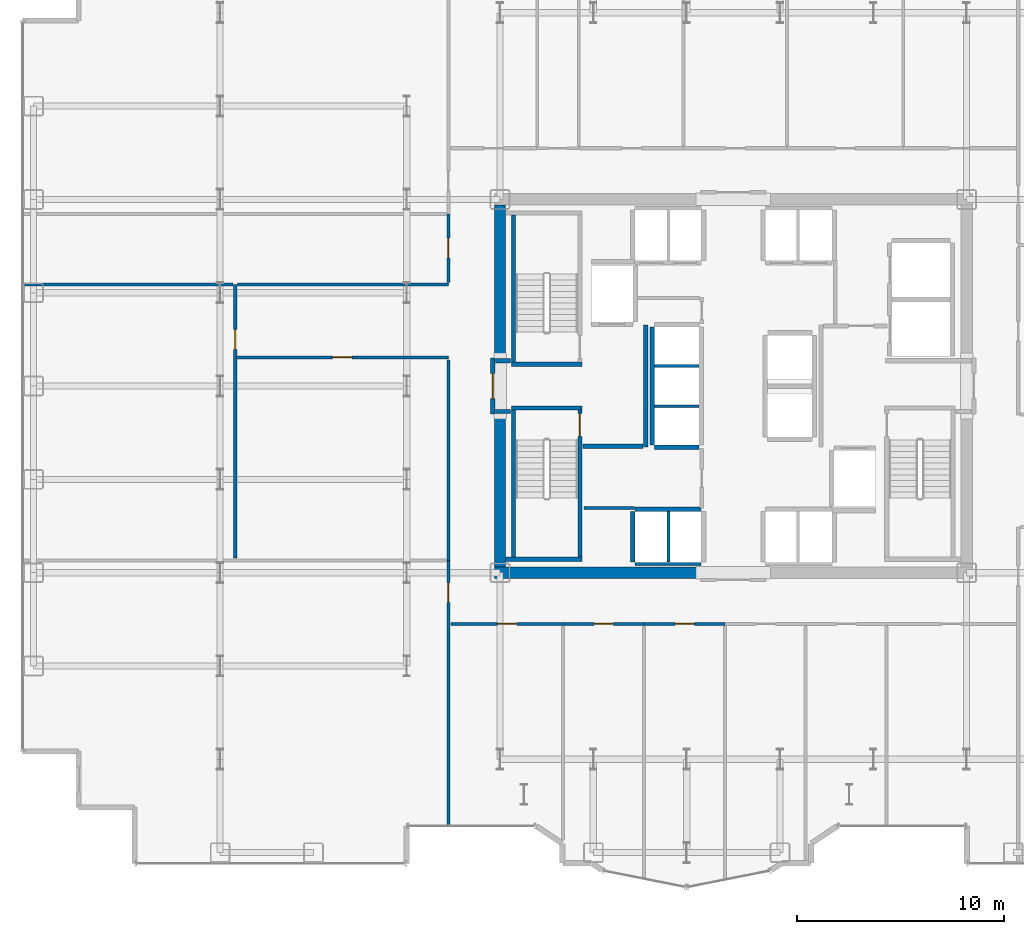
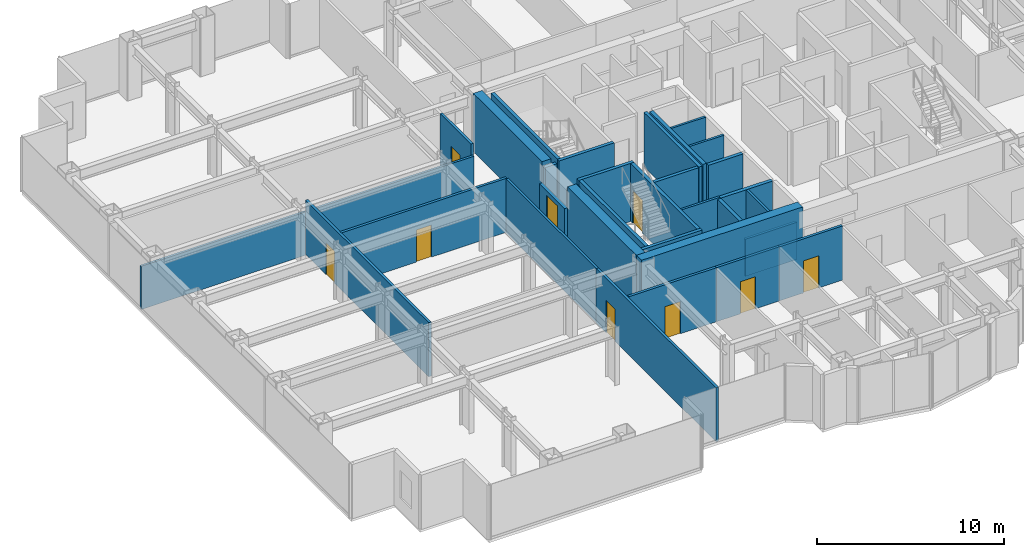
# One storey, part 20 of 25: 33 walls, 9 doors, 9 openings.
"""IFC4 building model written with IfcOpenShell, lengths in metres."""

from ifc_helpers import new_model, si_unit, direction, frame, frame_2d, origin, place, context, subcontext, project, spatial, rectangle, extrude, source, transform, mapped, material, layer, layer_set, type_object, element, fill, save


model = new_model("IFC4")

# Units and contexts
model_context = context("Model", 3, precision=1e-05, world=origin(), true_north=direction((0.0, 1.0)))
body_context = subcontext(model_context, "Body", "Model", "MODEL_VIEW")
ifc_project = project(units=[si_unit("LENGTHUNIT", "METRE"), si_unit("AREAUNIT", "SQUARE_METRE"), si_unit("VOLUMEUNIT", "CUBIC_METRE"), si_unit("PLANEANGLEUNIT", "RADIAN"), si_unit("MASSUNIT", "GRAM", prefix="KILO")], contexts=[model_context])

# Site, building, storey
site_placement = place(None, origin())
site = spatial("IfcSite", under=ifc_project, at=site_placement, CompositionType="ELEMENT")
building_placement = place(site_placement, origin())
building = spatial("IfcBuilding", under=site, at=building_placement, Name="Nefas-Gora Pilgrimage Tower", CompositionType="ELEMENT")
storey_placement = place(building_placement, frame((0.0, 0.0, 98.39990234375)))
storey = spatial("IfcBuildingStorey", under=building, at=storey_placement, Name="L23", CompositionType="ELEMENT", Elevation=98.39990234375)

# Walls
ifc_material_1 = material(Name="Concrete C60/75", Category="concrete")
ifc_layer_1 = layer(ifc_material_1, 0.550048828125)
ifc_layer_set_1 = layer_set([ifc_layer_1], Name="Concrete C60/75")
wall_type_1 = type_object("IfcWallType", Name="SW-CORE-550", PredefinedType="SHEAR", material=ifc_layer_set_1)
shared_shape_1 = source(origin(), body_context, "Body", "SweptSolid", [
    extrude(rectangle(XDim=9.974853515625, YDim=0.550048828125, at=frame_2d((4.9873046875, 0.0))), origin(), (0.0, 0.0, 1.0), 3.800048828125),
])
wall_1_placement = place(storey_placement, frame((-11.52490234375, -9.0, 0.0), z_axis=(0.0, 0.0, 1.0), x_axis=(1.0, 0.0, 0.0)))
element("IfcWall", 1, at=wall_1_placement, inside=storey, type_object=wall_type_1, Name="L23 Core Shear Wall S-West", PredefinedType="SHEAR", context=body_context, shape_type="MappedRepresentation", body=[
    mapped(shared_shape_1, transform((0.0, 0.0, 0.0), x_axis=(1.0, 0.0, 0.0), y_axis=(0.0, 1.0, 0.0), z_axis=(0.0, 0.0, 1.0), scale=1.0)),
])
shared_shape_2 = source(origin(), body_context, "Body", "SweptSolid", [
    extrude(rectangle(XDim=7.375, YDim=0.550048828125, at=frame_2d((3.6875, 0.0))), origin(), (0.0, 0.0, 1.0), 3.800048828125),
])
for number, where, z_axis, x_axis, name in (
    (2, (-11.25, -8.72509765625, 0.0), (0.0, 0.0, 1.0), (0.0, 1.0, 0.0), "L23 Core Shear Wall W-South"),
    (3, (-11.25, 1.35009765625, 0.0), (0.0, 0.0, 1.0), (0.0, 1.0, 0.0), "L23 Core Shear Wall W-North"),
):
    element("IfcWall", number, at=place(storey_placement, frame(where, z_axis=z_axis, x_axis=x_axis)), inside=storey, type_object=wall_type_1, Name=name, PredefinedType="SHEAR", context=body_context, shape_type="MappedRepresentation", body=[
        mapped(shared_shape_2, transform((0.0, 0.0, 0.0), x_axis=(1.0, 0.0, 0.0), y_axis=(0.0, 1.0, 0.0), z_axis=(0.0, 0.0, 1.0), scale=1.0)),
    ])
ifc_material_2 = material(Name="Concrete C45/55", Category="concrete")
ifc_layer_2 = layer(ifc_material_2, 0.199951171875)
ifc_layer_set_2 = layer_set([ifc_layer_2], Name="Concrete C45/55")
wall_type_2 = type_object("IfcWallType", Name="IW-STAIR-200", PredefinedType="SOLIDWALL", material=ifc_layer_set_2)
shared_shape_3 = source(origin(), body_context, "Body", "SweptSolid", [
    extrude(rectangle(XDim=3.39990234375, YDim=0.199951171875, at=frame_2d((1.699951171875, 0.0))), origin(), (0.0, 0.0, 1.0), 3.800048828125),
])
for number, where, z_axis, x_axis, name in (
    (4, (-7.300048828125, 1.050048828125, 0.0), (0.0, 0.0, 1.0), (-1.0, 0.0, 0.0), "L23 Stairwell Shear Wall ST-01-near"),
    (5, (-10.699951171875, -1.050048828125, 0.0), (0.0, 0.0, 1.0), (1.0, 0.0, 0.0), "L23 Stairwell Shear Wall ST-03-near"),
):
    element("IfcWall", number, at=place(storey_placement, frame(where, z_axis=z_axis, x_axis=x_axis)), inside=storey, type_object=wall_type_2, Name=name, PredefinedType="SOLIDWALL", context=body_context, shape_type="MappedRepresentation", body=[
        mapped(shared_shape_3, transform((0.0, 0.0, 0.0), x_axis=(1.0, 0.0, 0.0), y_axis=(0.0, 1.0, 0.0), z_axis=(0.0, 0.0, 1.0), scale=1.0)),
    ])
shared_shape_4 = source(origin(), body_context, "Body", "SweptSolid", [
    extrude(rectangle(XDim=7.10009765625, YDim=0.199951171875, at=frame_2d((3.550048828125, 0.0))), origin(), (0.0, 0.0, 1.0), 3.800048828125),
])
for number, where, z_axis, x_axis, name in (
    (6, (-10.60009765625, 1.14990234375, 0.0), (0.0, 0.0, 1.0), (0.0, 1.0, 0.0), "L23 Stairwell Shear Wall ST-01-right"),
    (7, (-10.60009765625, -1.14990234375, 0.0), (0.0, 0.0, 1.0), (0.0, -1.0, 0.0), "L23 Stairwell Shear Wall ST-03-left"),
):
    element("IfcWall", number, at=place(storey_placement, frame(where, z_axis=z_axis, x_axis=x_axis)), inside=storey, type_object=wall_type_2, Name=name, PredefinedType="SOLIDWALL", context=body_context, shape_type="MappedRepresentation", body=[
        mapped(shared_shape_4, transform((0.0, 0.0, 0.0), x_axis=(1.0, 0.0, 0.0), y_axis=(0.0, 1.0, 0.0), z_axis=(0.0, 0.0, 1.0), scale=1.0)),
    ])

# Wall, opening, door
wall_2_placement = place(storey_placement, frame((-7.39990234375, -1.14990234375, 0.0), z_axis=(0.0, 0.0, 1.0), x_axis=(0.0, -1.0, 0.0)))
wall_2 = element("IfcWall", 8, at=wall_2_placement, inside=storey, type_object=wall_type_2, Name="L23 Stairwell Shear Wall ST-03-right", PredefinedType="SOLIDWALL", context=body_context, shape_type="MappedRepresentation", body=[
    mapped(shared_shape_4, transform((0.0, 0.0, 0.0), x_axis=(1.0, 0.0, 0.0), y_axis=(0.0, 1.0, 0.0), z_axis=(0.0, 0.0, 1.0), scale=1.0)),
])
opening_1_placement = place(wall_2_placement, frame((0.179931640625, 0.0, 0.0)))
opening_1 = element("IfcOpeningElement", 9, at=opening_1_placement, cuts=wall_2, Name="Opening ID-ST1", PredefinedType="OPENING", context=body_context, shape_type="SweptSolid", body=[
    extrude(rectangle(XDim=1.10009765625, YDim=2.14990234375, at=frame_2d((0.550048828125, 1.074951171875))), frame((0.0, 0.10986328125, 0.0), z_axis=(0.0, -1.0, 0.0), x_axis=(1.0, 0.0, 0.0)), (0.0, 0.0, 1.0), 0.219970703125),
])
ifc_material_3 = material(Name="Painted galvanised steel fire stair door", Category="steel")
door_type_1 = type_object("IfcDoorType", Name="DR-INT-STAIR-1100", OperationType="NOTDEFINED", PredefinedType="DOOR", material=ifc_material_3)
shared_shape_5 = source(origin(), body_context, "Body", "SweptSolid", [
    extrude(rectangle(XDim=1.10009765625, YDim=2.14990234375, at=frame_2d((0.550048828125, 1.074951171875))), frame((0.0, 0.02490234375, 0.0), z_axis=(0.0, -1.0, 0.0), x_axis=(1.0, 0.0, 0.0)), (0.0, 0.0, 1.0), 0.050048828125),
])
door_1_placement = place(opening_1_placement, origin())
door_1 = element("IfcDoor", 10, at=door_1_placement, inside=storey, type_object=door_type_1, Name="L23 Protected Exit Stair Door ST-03", OperationType="SINGLE_SWING_LEFT", OverallHeight=2.14990234375, OverallWidth=1.10009765625, PredefinedType="DOOR", context=body_context, shape_type="MappedRepresentation", body=[
    mapped(shared_shape_5, transform((0.0, 0.0, 0.0), x_axis=(1.0, 0.0, 0.0), y_axis=(0.0, 1.0, 0.0), z_axis=(0.0, 0.0, 1.0), scale=1.0)),
])
fill(opening_1, door_1)

# Walls
shared_shape_6 = source(origin(), body_context, "Body", "SweptSolid", [
    extrude(rectangle(XDim=3.679931640625, YDim=0.199951171875, at=frame_2d((1.83984375, 0.0))), origin(), (0.0, 0.0, 1.0), 3.800048828125),
])
wall_3_placement = place(storey_placement, frame((-10.97998046875, -8.35009765625, 0.0), z_axis=(0.0, 0.0, 1.0), x_axis=(1.0, 0.0, 0.0)))
element("IfcWall", 11, at=wall_3_placement, inside=storey, type_object=wall_type_2, Name="L23 Stairwell Shear Wall ST-03-far", PredefinedType="SOLIDWALL", context=body_context, shape_type="MappedRepresentation", body=[
    mapped(shared_shape_6, transform((0.0, 0.0, 0.0), x_axis=(1.0, 0.0, 0.0), y_axis=(0.0, 1.0, 0.0), z_axis=(0.0, 0.0, 1.0), scale=1.0)),
])
ifc_material_4 = material(Name="Gypsum acoustic stud partition")
ifc_layer_3 = layer(ifc_material_4, 0.159912109375)
ifc_layer_set_3 = layer_set([ifc_layer_3], Name="Gypsum acoustic stud partition")
wall_type_3 = type_object("IfcWallType", Name="IW-CORR-160", PredefinedType="PARTITIONING", material=ifc_layer_set_3)
shared_shape_7 = source(origin(), body_context, "Body", "SweptSolid", [
    extrude(rectangle(XDim=3.199951171875, YDim=0.159912109375, at=frame_2d((1.60009765625, 0.0))), origin(), (0.0, 0.0, 1.0), 2.425048828125),
])
wall_4_placement = place(storey_placement, frame((-4.75, -8.580078125, 0.0), z_axis=(0.0, 0.0, 1.0), x_axis=(1.0, 0.0, 0.0)))
element("IfcWall", 12, at=wall_4_placement, inside=storey, type_object=wall_type_3, Name="L23 Hoistway Wall PL2-W-S", PredefinedType="PARTITIONING", context=body_context, shape_type="MappedRepresentation", body=[
    mapped(shared_shape_7, transform((0.0, 0.0, 0.0), x_axis=(1.0, 0.0, 0.0), y_axis=(0.0, 1.0, 0.0), z_axis=(0.0, 0.0, 1.0), scale=1.0)),
])
ifc_material_5 = material(Name="Concrete C40/50", Category="concrete")
ifc_layer_4 = layer(ifc_material_5, 0.219970703125)
ifc_layer_set_4 = layer_set([ifc_layer_4], Name="Concrete C40/50")
wall_type_4 = type_object("IfcWallType", Name="IW-SHAFT-220", PredefinedType="SOLIDWALL", material=ifc_layer_set_4)
shared_shape_8 = source(origin(), body_context, "Body", "SweptSolid", [
    extrude(rectangle(XDim=3.199951171875, YDim=0.219970703125, at=frame_2d((1.60009765625, 0.0))), origin(), (0.0, 0.0, 1.0), 3.53515625),
])
wall_5_placement = place(storey_placement, frame((-1.550048828125, -5.93994140625, 0.0), z_axis=(0.0, 0.0, 1.0), x_axis=(-1.0, 0.0, 0.0)))
element("IfcWall", 13, at=wall_5_placement, inside=storey, type_object=wall_type_4, Name="L23 Hoistway Wall PL2-W-N", PredefinedType="SOLIDWALL", context=body_context, shape_type="MappedRepresentation", body=[
    mapped(shared_shape_8, transform((0.0, 0.0, 0.0), x_axis=(1.0, 0.0, 0.0), y_axis=(0.0, 1.0, 0.0), z_axis=(0.0, 0.0, 1.0), scale=1.0)),
])
shared_shape_9 = source(origin(), body_context, "Body", "SweptSolid", [
    extrude(rectangle(XDim=2.429931640625, YDim=0.219970703125, at=frame_2d((1.21484375, 0.0))), origin(), (0.0, 0.0, 1.0), 3.53515625),
])
wall_6_placement = place(storey_placement, frame((-4.860107421875, -6.06005859375, 0.0), z_axis=(0.0, 0.0, 1.0), x_axis=(0.0, -1.0, 0.0)))
element("IfcWall", 14, at=wall_6_placement, inside=storey, type_object=wall_type_4, Name="L23 Hoistway Wall PL2-W-W", PredefinedType="SOLIDWALL", context=body_context, shape_type="MappedRepresentation", body=[
    mapped(shared_shape_9, transform((0.0, 0.0, 0.0), x_axis=(1.0, 0.0, 0.0), y_axis=(0.0, 1.0, 0.0), z_axis=(0.0, 0.0, 1.0), scale=1.0)),
])
ifc_material_6 = material(Name="Gypsum twin-stud partition")
ifc_layer_5 = layer(ifc_material_6, 0.139892578125)
ifc_layer_set_5 = layer_set([ifc_layer_5], Name="Gypsum twin-stud partition")
wall_type_5 = type_object("IfcWallType", Name="IW-UNIT-140", PredefinedType="PARTITIONING", material=ifc_layer_set_5)
shared_shape_10 = source(origin(), body_context, "Body", "SweptSolid", [
    extrude(rectangle(XDim=2.429931640625, YDim=0.139892578125, at=frame_2d((1.21484375, 0.0))), origin(), (0.0, 0.0, 1.0), 3.53515625),
])
wall_7_placement = place(storey_placement, frame((-3.125, -8.489990234375, 0.0), z_axis=(0.0, 0.0, 1.0), x_axis=(0.0, 1.0, 0.0)))
element("IfcWall", 15, at=wall_7_placement, inside=storey, type_object=wall_type_5, Name="L23 Hoistway Wall PL2-W-DIV", PredefinedType="PARTITIONING", context=body_context, shape_type="MappedRepresentation", body=[
    mapped(shared_shape_10, transform((0.0, 0.0, 0.0), x_axis=(1.0, 0.0, 0.0), y_axis=(0.0, 1.0, 0.0), z_axis=(0.0, 0.0, 1.0), scale=1.0)),
])
shared_shape_11 = source(origin(), body_context, "Body", "SweptSolid", [
    extrude(rectangle(XDim=5.7001953125, YDim=0.219970703125, at=frame_2d((2.85009765625, 0.0))), origin(), (0.0, 0.0, 1.0), 3.53515625),
])
wall_8_placement = place(storey_placement, frame((-3.909912109375, 2.85009765625, 0.0), z_axis=(0.0, 0.0, 1.0), x_axis=(0.0, -1.0, 0.0)))
element("IfcWall", 16, at=wall_8_placement, inside=storey, type_object=wall_type_4, Name="L23 Hoistway Wall PL3-01-03-W", PredefinedType="SOLIDWALL", context=body_context, shape_type="MappedRepresentation", body=[
    mapped(shared_shape_11, transform((0.0, 0.0, 0.0), x_axis=(1.0, 0.0, 0.0), y_axis=(0.0, 1.0, 0.0), z_axis=(0.0, 0.0, 1.0), scale=1.0)),
])
shared_shape_12 = source(origin(), body_context, "Body", "SweptSolid", [
    extrude(rectangle(XDim=2.130126953125, YDim=0.219970703125, at=frame_2d((1.06494140625, 0.0))), origin(), (0.0, 0.0, 1.0), 3.53515625),
])
wall_9_placement = place(storey_placement, frame((-3.7900390625, -2.9599609375, 0.0), z_axis=(0.0, 0.0, 1.0), x_axis=(1.0, 0.0, 0.0)))
element("IfcWall", 17, at=wall_9_placement, inside=storey, type_object=wall_type_4, Name="L23 Hoistway Wall PL3-01-S", PredefinedType="SOLIDWALL", context=body_context, shape_type="MappedRepresentation", body=[
    mapped(shared_shape_12, transform((0.0, 0.0, 0.0), x_axis=(1.0, 0.0, 0.0), y_axis=(0.0, 1.0, 0.0), z_axis=(0.0, 0.0, 1.0), scale=1.0)),
])
shared_shape_13 = source(origin(), body_context, "Body", "SweptSolid", [
    extrude(rectangle(XDim=2.130126953125, YDim=0.139892578125, at=frame_2d((1.06494140625, 0.0))), origin(), (0.0, 0.0, 1.0), 3.53515625),
])
for number, where, z_axis, x_axis, name in (
    (18, (-3.7900390625, -0.97509765625, 0.0), (0.0, 0.0, 1.0), (1.0, 0.0, 0.0), "L23 Hoistway Wall PL3-01-02-DIV"),
    (19, (-3.7900390625, 0.97509765625, 0.0), (0.0, 0.0, 1.0), (1.0, 0.0, 0.0), "L23 Hoistway Wall PL3-02-03-DIV"),
):
    element("IfcWall", number, at=place(storey_placement, frame(where, z_axis=z_axis, x_axis=x_axis)), inside=storey, type_object=wall_type_5, Name=name, PredefinedType="PARTITIONING", context=body_context, shape_type="MappedRepresentation", body=[
        mapped(shared_shape_13, transform((0.0, 0.0, 0.0), x_axis=(1.0, 0.0, 0.0), y_axis=(0.0, 1.0, 0.0), z_axis=(0.0, 0.0, 1.0), scale=1.0)),
    ])

# Wall, opening, door
ifc_material_7 = material(Name="Gypsum fire-rated shaftwall")
ifc_layer_6 = layer(ifc_material_7, 0.199951171875)
ifc_layer_set_6 = layer_set([ifc_layer_6], Name="Gypsum fire-rated shaftwall")
wall_type_6 = type_object("IfcWallType", Name="IW-FFLOB-200", PredefinedType="PARTITIONING", material=ifc_layer_set_6)
shared_shape_14 = source(origin(), body_context, "Body", "SweptSolid", [
    extrude(rectangle(XDim=2.7001953125, YDim=0.199951171875, at=frame_2d((1.35009765625, 0.0))), origin(), (0.0, 0.0, 1.0), 2.425048828125),
])
wall_10_placement = place(storey_placement, frame((-11.60009765625, -1.35009765625, 0.0), z_axis=(0.0, 0.0, 1.0), x_axis=(0.0, 1.0, 0.0)))
wall_10 = element("IfcWall", 20, at=wall_10_placement, inside=storey, type_object=wall_type_6, Name="L23 FF Lobby West Portal Wall 3", PredefinedType="PARTITIONING", context=body_context, shape_type="MappedRepresentation", body=[
    mapped(shared_shape_14, transform((0.0, 0.0, 0.0), x_axis=(1.0, 0.0, 0.0), y_axis=(0.0, 1.0, 0.0), z_axis=(0.0, 0.0, 1.0), scale=1.0)),
])
opening_2_placement = place(wall_10_placement, frame((0.75, 0.0, 0.0)))
opening_2 = element("IfcOpeningElement", 21, at=opening_2_placement, cuts=wall_10, Name="Opening ID-FF1", PredefinedType="OPENING", context=body_context, shape_type="SweptSolid", body=[
    extrude(rectangle(XDim=1.199951171875, YDim=2.14990234375, at=frame_2d((0.60009765625, 1.074951171875))), frame((0.0, 0.10986328125, 0.0), z_axis=(0.0, -1.0, 0.0), x_axis=(1.0, 0.0, 0.0)), (0.0, 0.0, 1.0), 0.219970703125),
])
ifc_material_8 = material(Name="Smoke-sealed steel firefighting lobby door", Category="steel")
door_type_2 = type_object("IfcDoorType", Name="DR-INT-FFLOB-1200", OperationType="NOTDEFINED", PredefinedType="DOOR", material=ifc_material_8)
shared_shape_15 = source(origin(), body_context, "Body", "SweptSolid", [
    extrude(rectangle(XDim=1.199951171875, YDim=2.14990234375, at=frame_2d((0.60009765625, 1.074951171875))), frame((0.0, 0.02490234375, 0.0), z_axis=(0.0, -1.0, 0.0), x_axis=(1.0, 0.0, 0.0)), (0.0, 0.0, 1.0), 0.050048828125),
])
door_2_placement = place(opening_2_placement, origin())
door_2 = element("IfcDoor", 22, at=door_2_placement, inside=storey, type_object=door_type_2, Name="L23 FF Lobby West Portal Door 1", OperationType="SINGLE_SWING_RIGHT", OverallHeight=2.14990234375, OverallWidth=1.199951171875, PredefinedType="DOOR", context=body_context, shape_type="MappedRepresentation", body=[
    mapped(shared_shape_15, transform((0.0, 0.0, 0.0), x_axis=(1.0, 0.0, 0.0), y_axis=(0.0, 1.0, 0.0), z_axis=(0.0, 0.0, 1.0), scale=1.0)),
])
fill(opening_2, door_2)

# Walls
shared_shape_16 = source(origin(), body_context, "Body", "SweptSolid", [
    extrude(rectangle(XDim=5.89990234375, YDim=0.199951171875, at=frame_2d((2.949951171875, 0.0))), origin(), (0.0, 0.0, 1.0), 3.53515625),
])
wall_11_placement = place(storey_placement, frame((-4.219970703125, -2.949951171875, 0.0), z_axis=(0.0, 0.0, 1.0), x_axis=(0.0, 1.0, 0.0)))
element("IfcWall", 23, at=wall_11_placement, inside=storey, type_object=wall_type_6, Name="L23 FF Lobby West Inner Wall Wall 4", PredefinedType="PARTITIONING", context=body_context, shape_type="MappedRepresentation", body=[
    mapped(shared_shape_16, transform((0.0, 0.0, 0.0), x_axis=(1.0, 0.0, 0.0), y_axis=(0.0, 1.0, 0.0), z_axis=(0.0, 0.0, 1.0), scale=1.0)),
])
shared_shape_17 = source(origin(), body_context, "Body", "SweptSolid", [
    extrude(rectangle(XDim=2.89990234375, YDim=0.199951171875, at=frame_2d((1.449951171875, 0.0))), origin(), (0.0, 0.0, 1.0), 3.53515625),
])
wall_12_placement = place(storey_placement, frame((-7.260009765625, -2.89990234375, 0.0), z_axis=(0.0, 0.0, 1.0), x_axis=(1.0, 0.0, 0.0)))
element("IfcWall", 24, at=wall_12_placement, inside=storey, type_object=wall_type_6, Name="L23 FF Lobby West South Wall Wall 5", PredefinedType="PARTITIONING", context=body_context, shape_type="MappedRepresentation", body=[
    mapped(shared_shape_17, transform((0.0, 0.0, 0.0), x_axis=(1.0, 0.0, 0.0), y_axis=(0.0, 1.0, 0.0), z_axis=(0.0, 0.0, 1.0), scale=1.0)),
])
shared_shape_18 = source(origin(), body_context, "Body", "SweptSolid", [
    extrude(rectangle(XDim=0.719970703125, YDim=0.199951171875, at=frame_2d((0.35986328125, 0.0))), origin(), (0.0, 0.0, 1.0), 3.53515625),
])
for number, where, z_axis, x_axis, name in (
    (25, (-11.4599609375, 1.219970703125, 0.0), (0.0, 0.0, 1.0), (1.0, 0.0, 0.0), "L23 FF Lobby West Throat N Wall 6"),
    (26, (-11.4599609375, -1.219970703125, 0.0), (0.0, 0.0, 1.0), (1.0, 0.0, 0.0), "L23 FF Lobby West Throat S Wall 7"),
):
    element("IfcWall", number, at=place(storey_placement, frame(where, z_axis=z_axis, x_axis=x_axis)), inside=storey, type_object=wall_type_6, Name=name, PredefinedType="PARTITIONING", context=body_context, shape_type="MappedRepresentation", body=[
        mapped(shared_shape_18, transform((0.0, 0.0, 0.0), x_axis=(1.0, 0.0, 0.0), y_axis=(0.0, 1.0, 0.0), z_axis=(0.0, 0.0, 1.0), scale=1.0)),
    ])

# Wall, opening, door
shared_shape_19 = source(origin(), body_context, "Body", "SweptSolid", [
    extrude(rectangle(XDim=10.25, YDim=0.159912109375, at=frame_2d((5.125, 0.0))), origin(), (0.0, 0.0, 1.0), 3.53515625),
])
wall_13_placement = place(storey_placement, frame((-23.97998046875, 1.3798828125, 0.0), z_axis=(0.0, 0.0, 1.0), x_axis=(1.0, 0.0, 0.0)))
wall_13 = element("IfcWall", 27, at=wall_13_placement, inside=storey, type_object=wall_type_3, Name="L23 Pilgrim Tea and Beverage Pantry Partition Wall 25", PredefinedType="PARTITIONING", context=body_context, shape_type="MappedRepresentation", body=[
    mapped(shared_shape_19, transform((0.0, 0.0, 0.0), x_axis=(1.0, 0.0, 0.0), y_axis=(0.0, 1.0, 0.0), z_axis=(0.0, 0.0, 1.0), scale=1.0)),
])
opening_3_placement = place(wall_13_placement, frame((4.64990234375, 0.0, 0.0)))
opening_3 = element("IfcOpeningElement", 28, at=opening_3_placement, cuts=wall_13, Name="Opening ID-GR1", PredefinedType="OPENING", context=body_context, shape_type="SweptSolid", body=[
    extrude(rectangle(XDim=0.949951171875, YDim=2.10009765625, at=frame_2d((0.47509765625, 1.050048828125))), frame((0.0, 0.08984375, 0.0), z_axis=(0.0, -1.0, 0.0), x_axis=(1.0, 0.0, 0.0)), (0.0, 0.0, 1.0), 0.179931640625),
])
ifc_material_9 = material(Name="Solid core oak fire-rated guest entrance door")
door_type_3 = type_object("IfcDoorType", Name="DR-INT-GUEST-950", OperationType="NOTDEFINED", PredefinedType="DOOR", material=ifc_material_9)
shared_shape_20 = source(origin(), body_context, "Body", "SweptSolid", [
    extrude(rectangle(XDim=0.949951171875, YDim=2.10009765625, at=frame_2d((0.47509765625, 1.050048828125))), frame((0.0, 0.02490234375, 0.0), z_axis=(0.0, -1.0, 0.0), x_axis=(1.0, 0.0, 0.0)), (0.0, 0.0, 1.0), 0.050048828125),
])
door_3_placement = place(opening_3_placement, origin())
door_3 = element("IfcDoor", 29, at=door_3_placement, inside=storey, type_object=door_type_3, Name="L23 Pilgrim Tea and Beverage Pantry Door 10", OperationType="SINGLE_SWING_LEFT", OverallHeight=2.10009765625, OverallWidth=0.949951171875, PredefinedType="DOOR", context=body_context, shape_type="MappedRepresentation", body=[
    mapped(shared_shape_20, transform((0.0, 0.0, 0.0), x_axis=(1.0, 0.0, 0.0), y_axis=(0.0, 1.0, 0.0), z_axis=(0.0, 0.0, 1.0), scale=1.0)),
])
fill(opening_3, door_3)

shared_shape_21 = source(origin(), body_context, "Body", "SweptSolid", [
    extrude(rectangle(XDim=12.844970703125, YDim=0.159912109375, at=frame_2d((6.42236328125, 0.0))), origin(), (0.0, 0.0, 1.0), 3.53515625),
])
wall_14_placement = place(storey_placement, frame((-13.739990234375, -21.239990234375, 0.0), z_axis=(0.0, 0.0, 1.0), x_axis=(0.0, 1.0, 0.0)))
wall_14 = element("IfcWall", 30, at=wall_14_placement, inside=storey, type_object=wall_type_3, Name="L23 Pilgrim Tea and Beverage Pantry Partition Wall 23", PredefinedType="PARTITIONING", context=body_context, shape_type="MappedRepresentation", body=[
    mapped(shared_shape_21, transform((0.0, 0.0, 0.0), x_axis=(1.0, 0.0, 0.0), y_axis=(0.0, 1.0, 0.0), z_axis=(0.0, 0.0, 1.0), scale=1.0)),
])
opening_4_placement = place(wall_14_placement, frame((10.8125, 0.0, 0.0)))
opening_4 = element("IfcOpeningElement", 31, at=opening_4_placement, cuts=wall_14, Name="Opening ID-GR1", PredefinedType="OPENING", context=body_context, shape_type="SweptSolid", body=[
    extrude(rectangle(XDim=0.949951171875, YDim=2.10009765625, at=frame_2d((0.47509765625, 1.050048828125))), frame((0.0, 0.08984375, 0.0), z_axis=(0.0, -1.0, 0.0), x_axis=(1.0, 0.0, 0.0)), (0.0, 0.0, 1.0), 0.179931640625),
])
door_4_placement = place(opening_4_placement, origin())
door_4 = element("IfcDoor", 32, at=door_4_placement, inside=storey, type_object=door_type_3, Name="L23 Pilgrim Tea and Beverage Pantry Door 9", OperationType="SINGLE_SWING_RIGHT", OverallHeight=2.10009765625, OverallWidth=0.949951171875, PredefinedType="DOOR", context=body_context, shape_type="MappedRepresentation", body=[
    mapped(shared_shape_20, transform((0.0, 0.0, 0.0), x_axis=(1.0, 0.0, 0.0), y_axis=(0.0, 1.0, 0.0), z_axis=(0.0, 0.0, 1.0), scale=1.0)),
])
fill(opening_4, door_4)

# Walls
shared_shape_22 = source(origin(), body_context, "Body", "SweptSolid", [
    extrude(rectangle(XDim=2.43505859375, YDim=0.139892578125, at=frame_2d((1.217529296875, 0.0))), origin(), (0.0, 0.0, 1.0), 3.53515625),
])
wall_15_placement = place(storey_placement, frame((-7.18994140625, -5.8798828125, 0.0), z_axis=(0.0, 0.0, 1.0), x_axis=(1.0, 0.0, 0.0)))
element("IfcWall", 33, at=wall_15_placement, inside=storey, type_object=wall_type_5, Name="L23 Pilgrim Baggage and Gear Vault Partition Wall 19", PredefinedType="PARTITIONING", context=body_context, shape_type="MappedRepresentation", body=[
    mapped(shared_shape_22, transform((0.0, 0.0, 0.0), x_axis=(1.0, 0.0, 0.0), y_axis=(0.0, 1.0, 0.0), z_axis=(0.0, 0.0, 1.0), scale=1.0)),
])
shared_shape_23 = source(origin(), body_context, "Body", "SweptSolid", [
    extrude(rectangle(XDim=9.6650390625, YDim=0.139892578125, at=frame_2d((4.83251953125, 0.0))), origin(), (0.0, 0.0, 1.0), 3.53515625),
])
wall_16_placement = place(storey_placement, frame((-13.739990234375, -8.405029296875, 0.0), z_axis=(0.0, 0.0, 1.0), x_axis=(0.0, 1.0, 0.0)))
element("IfcWall", 34, at=wall_16_placement, inside=storey, type_object=wall_type_5, Name="L23 Pilgrim Tea and Beverage Pantry Partition Wall 26", PredefinedType="PARTITIONING", context=body_context, shape_type="MappedRepresentation", body=[
    mapped(shared_shape_23, transform((0.0, 0.0, 0.0), x_axis=(1.0, 0.0, 0.0), y_axis=(0.0, 1.0, 0.0), z_axis=(0.0, 0.0, 1.0), scale=1.0)),
])

# Wall, opening, door
shared_shape_24 = source(origin(), body_context, "Body", "SweptSolid", [
    extrude(rectangle(XDim=13.199951171875, YDim=0.159912109375, at=frame_2d((6.60009765625, 0.0))), origin(), (0.0, 0.0, 1.0), 3.53515625),
])
wall_17_placement = place(storey_placement, frame((-24.02001953125, -8.294921875, 0.0), z_axis=(0.0, 0.0, 1.0), x_axis=(0.0, 1.0, 0.0)))
wall_17 = element("IfcWall", 35, at=wall_17_placement, inside=storey, type_object=wall_type_3, Name="L23 Pilgrim Tea and Beverage Pantry Partition Wall 27", PredefinedType="PARTITIONING", context=body_context, shape_type="MappedRepresentation", body=[
    mapped(shared_shape_24, transform((0.0, 0.0, 0.0), x_axis=(1.0, 0.0, 0.0), y_axis=(0.0, 1.0, 0.0), z_axis=(0.0, 0.0, 1.0), scale=1.0)),
])
opening_5_placement = place(wall_17_placement, frame((10.070068359375, 0.0, 0.0)))
opening_5 = element("IfcOpeningElement", 36, at=opening_5_placement, cuts=wall_17, Name="Opening ID-GR1", PredefinedType="OPENING", context=body_context, shape_type="SweptSolid", body=[
    extrude(rectangle(XDim=0.949951171875, YDim=2.10009765625, at=frame_2d((0.47509765625, 1.050048828125))), frame((0.0, 0.08984375, 0.0), z_axis=(0.0, -1.0, 0.0), x_axis=(1.0, 0.0, 0.0)), (0.0, 0.0, 1.0), 0.179931640625),
])
door_5_placement = place(opening_5_placement, origin())
door_5 = element("IfcDoor", 37, at=door_5_placement, inside=storey, type_object=door_type_3, Name="L23 Pilgrim Tea and Beverage Pantry Door 11", OperationType="SINGLE_SWING_RIGHT", OverallHeight=2.10009765625, OverallWidth=0.949951171875, PredefinedType="DOOR", context=body_context, shape_type="MappedRepresentation", body=[
    mapped(shared_shape_20, transform((0.0, 0.0, 0.0), x_axis=(1.0, 0.0, 0.0), y_axis=(0.0, 1.0, 0.0), z_axis=(0.0, 0.0, 1.0), scale=1.0)),
])
fill(opening_5, door_5)

# Walls
shared_shape_25 = source(origin(), body_context, "Body", "SweptSolid", [
    extrude(rectangle(XDim=10.150146484375, YDim=0.139892578125, at=frame_2d((5.0751953125, 0.0))), origin(), (0.0, 0.0, 1.0), 2.8251953125),
])
wall_18_placement = place(storey_placement, frame((-34.2900390625, 4.89501953125, 0.0), z_axis=(0.0, 0.0, 1.0), x_axis=(1.0, 0.0, 0.0)))
element("IfcWall", 38, at=wall_18_placement, inside=storey, type_object=wall_type_5, Name="L23 Pilgrim Tea and Beverage Pantry Partition Wall 28", PredefinedType="PARTITIONING", context=body_context, shape_type="MappedRepresentation", body=[
    mapped(shared_shape_25, transform((0.0, 0.0, 0.0), x_axis=(1.0, 0.0, 0.0), y_axis=(0.0, 1.0, 0.0), z_axis=(0.0, 0.0, 1.0), scale=1.0)),
])
shared_shape_26 = source(origin(), body_context, "Body", "SweptSolid", [
    extrude(rectangle(XDim=10.169921875, YDim=0.139892578125, at=frame_2d((5.0849609375, 0.0))), origin(), (0.0, 0.0, 1.0), 2.8251953125),
])
wall_19_placement = place(storey_placement, frame((-23.89990234375, 4.89501953125, 0.0), z_axis=(0.0, 0.0, 1.0), x_axis=(1.0, 0.0, 0.0)))
element("IfcWall", 39, at=wall_19_placement, inside=storey, type_object=wall_type_5, Name="L23 Pilgrim Tea and Beverage Pantry Partition Wall 29", PredefinedType="PARTITIONING", context=body_context, shape_type="MappedRepresentation", body=[
    mapped(shared_shape_26, transform((0.0, 0.0, 0.0), x_axis=(1.0, 0.0, 0.0), y_axis=(0.0, 1.0, 0.0), z_axis=(0.0, 0.0, 1.0), scale=1.0)),
])

# Wall, opening, door
shared_shape_27 = source(origin(), body_context, "Body", "SweptSolid", [
    extrude(rectangle(XDim=3.300048828125, YDim=0.159912109375, at=frame_2d((1.64990234375, 0.0))), origin(), (0.0, 0.0, 1.0), 3.53515625),
])
wall_20_placement = place(storey_placement, frame((-13.739990234375, 5.0048828125, 0.0), z_axis=(0.0, 0.0, 1.0), x_axis=(0.0, 1.0, 0.0)))
wall_20 = element("IfcWall", 40, at=wall_20_placement, inside=storey, type_object=wall_type_3, Name="L23 Pilgrim Tea and Beverage Pantry Partition Wall 30", PredefinedType="PARTITIONING", context=body_context, shape_type="MappedRepresentation", body=[
    mapped(shared_shape_27, transform((0.0, 0.0, 0.0), x_axis=(1.0, 0.0, 0.0), y_axis=(0.0, 1.0, 0.0), z_axis=(0.0, 0.0, 1.0), scale=1.0)),
])
opening_6_placement = place(wall_20_placement, frame((1.175048828125, 0.0, 0.0)))
opening_6 = element("IfcOpeningElement", 41, at=opening_6_placement, cuts=wall_20, Name="Opening ID-GR1", PredefinedType="OPENING", context=body_context, shape_type="SweptSolid", body=[
    extrude(rectangle(XDim=0.949951171875, YDim=2.10009765625, at=frame_2d((0.47509765625, 1.050048828125))), frame((0.0, 0.08984375, 0.0), z_axis=(0.0, -1.0, 0.0), x_axis=(1.0, 0.0, 0.0)), (0.0, 0.0, 1.0), 0.179931640625),
])
door_6_placement = place(opening_6_placement, origin())
door_6 = element("IfcDoor", 42, at=door_6_placement, inside=storey, type_object=door_type_3, Name="L23 Pilgrim Tea and Beverage Pantry Door 12", OperationType="SINGLE_SWING_LEFT", OverallHeight=2.10009765625, OverallWidth=0.949951171875, PredefinedType="DOOR", context=body_context, shape_type="MappedRepresentation", body=[
    mapped(shared_shape_20, transform((0.0, 0.0, 0.0), x_axis=(1.0, 0.0, 0.0), y_axis=(0.0, 1.0, 0.0), z_axis=(0.0, 0.0, 1.0), scale=1.0)),
])
fill(opening_6, door_6)

shared_shape_28 = source(origin(), body_context, "Body", "SweptSolid", [
    extrude(rectangle(XDim=5.425048828125, YDim=0.159912109375, at=frame_2d((2.71240234375, 0.0))), origin(), (0.0, 0.0, 1.0), 3.53515625),
])
wall_21_placement = place(storey_placement, frame((-13.6201171875, -11.469970703125, 0.0), z_axis=(0.0, 0.0, 1.0), x_axis=(1.0, 0.0, 0.0)))
wall_21 = element("IfcWall", 43, at=wall_21_placement, inside=storey, type_object=wall_type_3, Name="L23 Pilgrim Contemplative Lounge Partition Wall 51", PredefinedType="PARTITIONING", context=body_context, shape_type="MappedRepresentation", body=[
    mapped(shared_shape_28, transform((0.0, 0.0, 0.0), x_axis=(1.0, 0.0, 0.0), y_axis=(0.0, 1.0, 0.0), z_axis=(0.0, 0.0, 1.0), scale=1.0)),
])
opening_7_placement = place(wall_21_placement, frame((2.237548828125, 0.0, 0.0)))
opening_7 = element("IfcOpeningElement", 44, at=opening_7_placement, cuts=wall_21, Name="Opening ID-GR1", PredefinedType="OPENING", context=body_context, shape_type="SweptSolid", body=[
    extrude(rectangle(XDim=0.949951171875, YDim=2.10009765625, at=frame_2d((0.47509765625, 1.050048828125))), frame((0.0, 0.08984375, 0.0), z_axis=(0.0, -1.0, 0.0), x_axis=(1.0, 0.0, 0.0)), (0.0, 0.0, 1.0), 0.179931640625),
])
door_7_placement = place(opening_7_placement, origin())
door_7 = element("IfcDoor", 45, at=door_7_placement, inside=storey, type_object=door_type_3, Name="L23 Pilgrim Contemplative Lounge Door 24", OperationType="SINGLE_SWING_LEFT", OverallHeight=2.10009765625, OverallWidth=0.949951171875, PredefinedType="DOOR", context=body_context, shape_type="MappedRepresentation", body=[
    mapped(shared_shape_20, transform((0.0, 0.0, 0.0), x_axis=(1.0, 0.0, 0.0), y_axis=(0.0, 1.0, 0.0), z_axis=(0.0, 0.0, 1.0), scale=1.0)),
])
fill(opening_7, door_7)

shared_shape_29 = source(origin(), body_context, "Body", "SweptSolid", [
    extrude(rectangle(XDim=3.905029296875, YDim=0.159912109375, at=frame_2d((1.95263671875, 0.0))), origin(), (0.0, 0.0, 1.0), 3.53515625),
])
wall_22_placement = place(storey_placement, frame((-8.205078125, -11.469970703125, 0.0), z_axis=(0.0, 0.0, 1.0), x_axis=(1.0, 0.0, 0.0)))
wall_22 = element("IfcWall", 46, at=wall_22_placement, inside=storey, type_object=wall_type_3, Name="L23 Pilgrim Contemplative Lounge Partition Wall 53", PredefinedType="PARTITIONING", context=body_context, shape_type="MappedRepresentation", body=[
    mapped(shared_shape_29, transform((0.0, 0.0, 0.0), x_axis=(1.0, 0.0, 0.0), y_axis=(0.0, 1.0, 0.0), z_axis=(0.0, 0.0, 1.0), scale=1.0)),
])
opening_8_placement = place(wall_22_placement, frame((1.4775390625, 0.0, 0.0)))
opening_8 = element("IfcOpeningElement", 47, at=opening_8_placement, cuts=wall_22, Name="Opening ID-GR1", PredefinedType="OPENING", context=body_context, shape_type="SweptSolid", body=[
    extrude(rectangle(XDim=0.949951171875, YDim=2.10009765625, at=frame_2d((0.47509765625, 1.050048828125))), frame((0.0, 0.08984375, 0.0), z_axis=(0.0, -1.0, 0.0), x_axis=(1.0, 0.0, 0.0)), (0.0, 0.0, 1.0), 0.179931640625),
])
door_8_placement = place(opening_8_placement, origin())
door_8 = element("IfcDoor", 48, at=door_8_placement, inside=storey, type_object=door_type_3, Name="L23 Pilgrim Contemplative Lounge Door 25", OperationType="SINGLE_SWING_RIGHT", OverallHeight=2.10009765625, OverallWidth=0.949951171875, PredefinedType="DOOR", context=body_context, shape_type="MappedRepresentation", body=[
    mapped(shared_shape_20, transform((0.0, 0.0, 0.0), x_axis=(1.0, 0.0, 0.0), y_axis=(0.0, 1.0, 0.0), z_axis=(0.0, 0.0, 1.0), scale=1.0)),
])
fill(opening_8, door_8)

wall_23_placement = place(storey_placement, frame((-4.300048828125, -11.469970703125, 0.0), z_axis=(0.0, 0.0, 1.0), x_axis=(1.0, 0.0, 0.0)))
wall_23 = element("IfcWall", 49, at=wall_23_placement, inside=storey, type_object=wall_type_3, Name="L23 Pilgrim Contemplative Lounge Partition Wall 55", PredefinedType="PARTITIONING", context=body_context, shape_type="MappedRepresentation", body=[
    mapped(shared_shape_29, transform((0.0, 0.0, 0.0), x_axis=(1.0, 0.0, 0.0), y_axis=(0.0, 1.0, 0.0), z_axis=(0.0, 0.0, 1.0), scale=1.0)),
])
opening_9_placement = place(wall_23_placement, frame((1.4775390625, 0.0, 0.0)))
opening_9 = element("IfcOpeningElement", 50, at=opening_9_placement, cuts=wall_23, Name="Opening ID-GR1", PredefinedType="OPENING", context=body_context, shape_type="SweptSolid", body=[
    extrude(rectangle(XDim=0.949951171875, YDim=2.10009765625, at=frame_2d((0.47509765625, 1.050048828125))), frame((0.0, 0.08984375, 0.0), z_axis=(0.0, -1.0, 0.0), x_axis=(1.0, 0.0, 0.0)), (0.0, 0.0, 1.0), 0.179931640625),
])
door_9_placement = place(opening_9_placement, origin())
door_9 = element("IfcDoor", 51, at=door_9_placement, inside=storey, type_object=door_type_3, Name="L23 Pilgrim Contemplative Lounge Door 26", OperationType="SINGLE_SWING_LEFT", OverallHeight=2.10009765625, OverallWidth=0.949951171875, PredefinedType="DOOR", context=body_context, shape_type="MappedRepresentation", body=[
    mapped(shared_shape_20, transform((0.0, 0.0, 0.0), x_axis=(1.0, 0.0, 0.0), y_axis=(0.0, 1.0, 0.0), z_axis=(0.0, 0.0, 1.0), scale=1.0)),
])
fill(opening_9, door_9)

save(model, "model.ifc")
